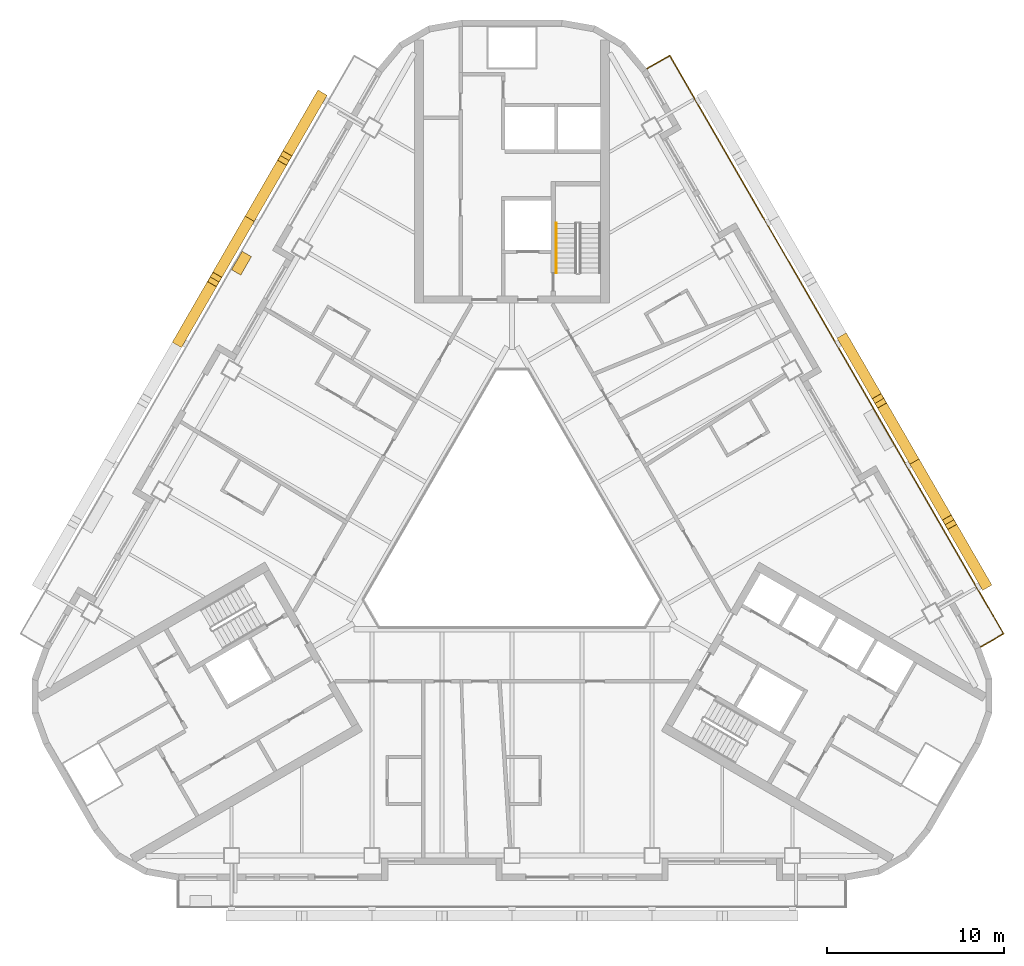
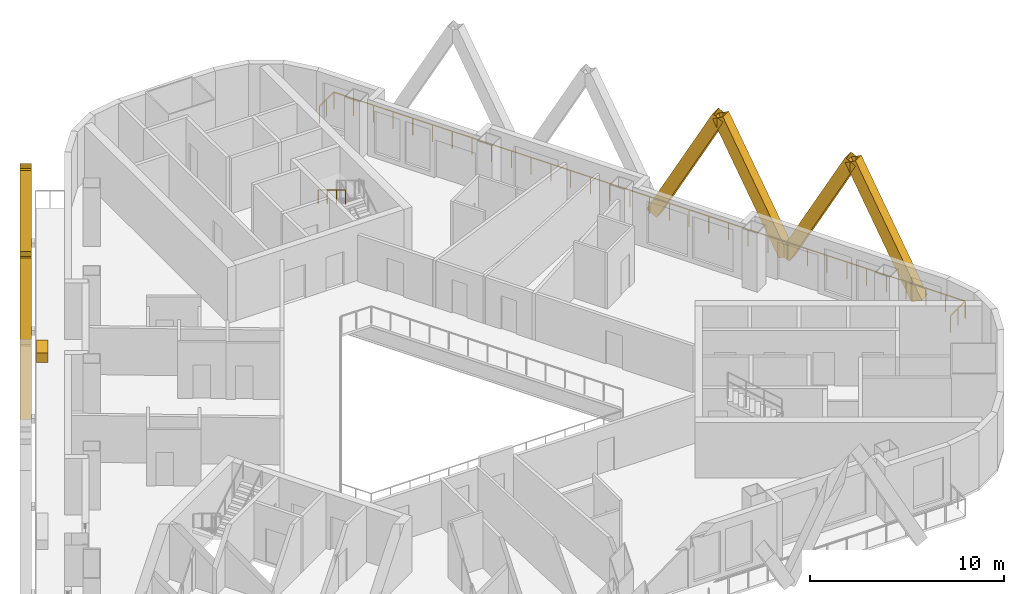
# One storey, part 12 of 13: 8 shading devices, 2 railings, 1 covering.
"""IFC4 building model written with IfcOpenShell, lengths in metres."""

from ifc_helpers import new_model, si_unit, direction, frame, origin, origin_2d, place, context, subcontext, project, spatial, rectangle, hollow_rectangle, circle, extrude, material, material_profile, profile_set, type_object, element, save


model = new_model("IFC4")

# Units and contexts
model_context = context("Model", 3, precision=1e-05, world=origin(), true_north=direction((0.0, 1.0)))
body_context = subcontext(model_context, "Body", "Model", "MODEL_VIEW")
ifc_project = project(units=[si_unit("LENGTHUNIT", "METRE"), si_unit("AREAUNIT", "SQUARE_METRE"), si_unit("VOLUMEUNIT", "CUBIC_METRE"), si_unit("PLANEANGLEUNIT", "RADIAN"), si_unit("MASSUNIT", "GRAM", prefix="KILO")], contexts=[model_context])

# Site, building, storey
site_placement = place(None, origin())
site = spatial("IfcSite", under=ifc_project, at=site_placement, CompositionType="ELEMENT")
building_placement = place(site_placement, origin())
building = spatial("IfcBuilding", under=site, at=building_placement, Name="Apuvela Tower Hotel", CompositionType="ELEMENT")
storey_placement = place(building_placement, frame((0.0, 0.0, 105.699951171875)))
storey = spatial("IfcBuildingStorey", under=building, at=storey_placement, Name="L24", CompositionType="ELEMENT", Elevation=105.699951171875)

# Railing
ifc_material_1 = material(Name="Stainless steel 316 handrail", Category="steel")
railing_type_1 = type_object("IfcRailingType", Name="COR-HANDRAIL-900", PredefinedType="HANDRAIL", material=ifc_material_1)
railing_1_placement = place(storey_placement, frame((2.5, 17.39990234375, 2.018310546875)))
element("IfcRailing", 1, at=railing_1_placement, inside=storey, type_object=railing_type_1, Name="L24 ST1 stair handrail 2", PredefinedType="HANDRAIL", context=body_context, shape_type="SweptSolid", body=[
    extrude(circle(Radius=0.02392578125, at=origin_2d()), frame((0.0, 0.0, 0.8759765625), z_axis=(0.0, -0.857255387014, 0.514891446264), x_axis=(1.0, 0.0, 0.0)), (0.0, 0.0, 1.0), 3.26611328125),
    extrude(rectangle(XDim=0.0419921875, YDim=0.0419921875, at=origin_2d()), origin(), (0.0, 0.0, 1.0), 0.851806640625),
    extrude(rectangle(XDim=0.0419921875, YDim=0.0419921875, at=origin_2d()), frame((0.0, -0.933349609375, 0.560546875)), (0.0, 0.0, 1.0), 0.851806640625),
    extrude(rectangle(XDim=0.0419921875, YDim=0.0419921875, at=origin_2d()), frame((0.0, -1.866455078125, 1.12109375)), (0.0, 0.0, 1.0), 0.851806640625),
    extrude(rectangle(XDim=0.0419921875, YDim=0.0419921875, at=origin_2d()), frame((0.0, -2.7998046875, 1.681640625)), (0.0, 0.0, 1.0), 0.851806640625),
])

# Shading devices
ifc_material_2 = material(Name="Aluminium 6063-T6, black anodised", Category="aluminium")
ifc_material_profile = material_profile(ifc_material_2, hollow_rectangle(XDim=0.60009765625, YDim=0.699951171875, WallThickness=0.011962890625, at=origin_2d()), Name="AL BOX 700x600x12")
ifc_profile_set = profile_set([ifc_material_profile], Name="Aluminium 6063-T6, black anodised")
shading_device_type = type_object("IfcShadingDeviceType", Name="ENV-FIN-700x600", PredefinedType="USERDEFINED", material=ifc_profile_set)
for number, where, z_axis, x_axis, name in (
    (2, (26.632080078125, -2.8681640625, -0.099853515625), (-0.235463880167, 0.407797827568, 0.882189148067), (-0.866005453737, -0.500034552904, 0.0), "Lattice fin NE209"),
    (3, (22.68212890625, 3.973388671875, -0.099853515625), (0.235433593518, -0.407824887177, 0.882184722404), (0.866047669374, 0.499961432884, 0.0), "Lattice fin NE210"),
    (4, (22.68212890625, 3.973388671875, -0.099853515625), (-0.235461085354, 0.407822092458, 0.882178677019), (-0.866020906874, -0.500007788796, 0.0), "Lattice fin NE211"),
):
    element("IfcShadingDevice", number, at=place(storey_placement, frame(where, z_axis=z_axis, x_axis=x_axis)), inside=storey, type_object=shading_device_type, Name=name, ObjectType="FIN", PredefinedType="USERDEFINED", context=body_context, shape_type="SweptSolid", body=[
        extrude(hollow_rectangle(XDim=0.60009765625, YDim=0.699951171875, WallThickness=0.011962890625, at=origin_2d()), origin(), (0.0, 0.0, 1.0), 8.38818359375),
    ])
shading_device_placement = place(storey_placement, frame((18.732177734375, 10.81494140625, -0.099853515625), z_axis=(0.235436388043, -0.407800622186, 0.882195193667), x_axis=(0.866032218625, 0.499988196164, 0.0)))
element("IfcShadingDevice", 5, at=shading_device_placement, inside=storey, type_object=shading_device_type, Name="Lattice fin NE212", ObjectType="FIN", PredefinedType="USERDEFINED", context=body_context, shape_type="SweptSolid", body=[
    extrude(hollow_rectangle(XDim=0.60009765625, YDim=0.699951171875, WallThickness=0.011962890625, at=origin_2d()), origin(), (0.0, 0.0, 1.0), 8.387939453125),
])
for number, where, z_axis, x_axis, name in (
    (6, (-10.83203125, 24.498291015625, -0.099853515625), (-0.235461085354, -0.407822092458, 0.882178677019), (0.866020906874, -0.500007788796, 0.0), "Lattice fin NW257"),
    (7, (-14.781982421875, 17.656494140625, -0.099853515625), (0.235433593518, 0.407824887177, 0.882184722404), (-0.866047669374, 0.499961432884, 0.0), "Lattice fin NW258"),
    (8, (-14.781982421875, 17.656494140625, -0.099853515625), (-0.235463880167, -0.407797827568, 0.882189148067), (0.866005453737, -0.500034552904, 0.0), "Lattice fin NW259"),
    (9, (-18.732177734375, 10.81494140625, -0.099853515625), (0.235461085354, 0.407822092458, 0.882178677019), (-0.866020906874, 0.500007788796, 0.0), "Lattice fin NW260"),
):
    element("IfcShadingDevice", number, at=place(storey_placement, frame(where, z_axis=z_axis, x_axis=x_axis)), inside=storey, type_object=shading_device_type, Name=name, ObjectType="FIN", PredefinedType="USERDEFINED", context=body_context, shape_type="SweptSolid", body=[
        extrude(hollow_rectangle(XDim=0.60009765625, YDim=0.699951171875, WallThickness=0.011962890625, at=origin_2d()), origin(), (0.0, 0.0, 1.0), 8.38818359375),
    ])

# Railing
ifc_material_3 = material(Name="Stainless steel 316 rail with laminated glass infill", Category="steel")
railing_type_2 = type_object("IfcRailingType", Name="ENV-GUARD-1100", PredefinedType="GUARDRAIL", material=ifc_material_3)
railing_2_placement = place(storey_placement, frame((26.407958984375, -6.47998046875, 0.0)))
element("IfcRailing", 10, at=railing_2_placement, inside=storey, type_object=railing_type_2, Name="Balcony guard NE L24", PredefinedType="GUARDRAIL", context=body_context, shape_type="SweptSolid", body=[
    extrude(rectangle(XDim=0.050048828125, YDim=0.050048828125, at=origin_2d()), frame((0.0, 0.0, 1.0751953125), z_axis=(0.866031096941, 0.499990139034, 0.0), x_axis=(-0.499990139034, 0.866031096941, 0.0)), (0.0, 0.0, 1.0), 1.5),
    extrude(rectangle(XDim=0.050048828125, YDim=0.050048828125, at=origin_2d()), frame((1.299072265625, 0.75, 1.0751953125), z_axis=(-0.500000437506, 0.86602515119, 0.0), x_axis=(-0.86602515119, -0.500000437506, 0.0)), (0.0, 0.0, 1.0), 37.6318359375),
    extrude(rectangle(XDim=0.050048828125, YDim=0.050048828125, at=origin_2d()), frame((-17.516845703125, 33.340087890625, 1.0751953125), z_axis=(-0.86599040064, -0.500060622324, 0.0), x_axis=(0.500060622324, -0.86599040064, 0.0)), (0.0, 0.0, 1.0), 1.499755859375),
    extrude(rectangle(XDim=0.0400390625, YDim=0.0400390625, at=origin_2d()), origin(), (0.0, 0.0, 1.0), 1.050048828125),
    extrude(rectangle(XDim=0.0400390625, YDim=0.0400390625, at=origin_2d()), frame((0.6494140625, 0.375, 0.0)), (0.0, 0.0, 1.0), 1.050048828125),
    extrude(rectangle(XDim=0.0400390625, YDim=0.0400390625, at=origin_2d()), frame((1.299072265625, 0.75, 0.0)), (0.0, 0.0, 1.0), 1.050048828125),
    extrude(rectangle(XDim=0.0400390625, YDim=0.0400390625, at=origin_2d()), frame((0.711181640625, 1.7685546875, 0.0)), (0.0, 0.0, 1.0), 1.050048828125),
    extrude(rectangle(XDim=0.0400390625, YDim=0.0400390625, at=origin_2d()), frame((0.123046875, 2.786865234375, 0.0)), (0.0, 0.0, 1.0), 1.050048828125),
    extrude(rectangle(XDim=0.0400390625, YDim=0.0400390625, at=origin_2d()), frame((-0.46484375, 3.805419921875, 0.0)), (0.0, 0.0, 1.0), 1.050048828125),
    extrude(rectangle(XDim=0.0400390625, YDim=0.0400390625, at=origin_2d()), frame((-1.052978515625, 4.82373046875, 0.0)), (0.0, 0.0, 1.0), 1.050048828125),
    extrude(rectangle(XDim=0.0400390625, YDim=0.0400390625, at=origin_2d()), frame((-1.640869140625, 5.84228515625, 0.0)), (0.0, 0.0, 1.0), 1.050048828125),
    extrude(rectangle(XDim=0.0400390625, YDim=0.0400390625, at=origin_2d()), frame((-2.22900390625, 6.860595703125, 0.0)), (0.0, 0.0, 1.0), 1.050048828125),
    extrude(rectangle(XDim=0.0400390625, YDim=0.0400390625, at=origin_2d()), frame((-2.81689453125, 7.879150390625, 0.0)), (0.0, 0.0, 1.0), 1.050048828125),
    extrude(rectangle(XDim=0.0400390625, YDim=0.0400390625, at=origin_2d()), frame((-3.40478515625, 8.8974609375, 0.0)), (0.0, 0.0, 1.0), 1.050048828125),
    extrude(rectangle(XDim=0.0400390625, YDim=0.0400390625, at=origin_2d()), frame((-3.992919921875, 9.916015625, 0.0)), (0.0, 0.0, 1.0), 1.050048828125),
    extrude(rectangle(XDim=0.0400390625, YDim=0.0400390625, at=origin_2d()), frame((-4.580810546875, 10.934326171875, 0.0)), (0.0, 0.0, 1.0), 1.050048828125),
    extrude(rectangle(XDim=0.0400390625, YDim=0.0400390625, at=origin_2d()), frame((-5.1689453125, 11.952880859375, 0.0)), (0.0, 0.0, 1.0), 1.050048828125),
    extrude(rectangle(XDim=0.0400390625, YDim=0.0400390625, at=origin_2d()), frame((-5.7568359375, 12.97119140625, 0.0)), (0.0, 0.0, 1.0), 1.050048828125),
    extrude(rectangle(XDim=0.0400390625, YDim=0.0400390625, at=origin_2d()), frame((-6.344970703125, 13.98974609375, 0.0)), (0.0, 0.0, 1.0), 1.050048828125),
    extrude(rectangle(XDim=0.0400390625, YDim=0.0400390625, at=origin_2d()), frame((-6.932861328125, 15.008056640625, 0.0)), (0.0, 0.0, 1.0), 1.050048828125),
    extrude(rectangle(XDim=0.0400390625, YDim=0.0400390625, at=origin_2d()), frame((-7.52099609375, 16.026611328125, 0.0)), (0.0, 0.0, 1.0), 1.050048828125),
    extrude(rectangle(XDim=0.0400390625, YDim=0.0400390625, at=origin_2d()), frame((-8.10888671875, 17.044921875, 0.0)), (0.0, 0.0, 1.0), 1.050048828125),
    extrude(rectangle(XDim=0.0400390625, YDim=0.0400390625, at=origin_2d()), frame((-8.69677734375, 18.0634765625, 0.0)), (0.0, 0.0, 1.0), 1.050048828125),
    extrude(rectangle(XDim=0.0400390625, YDim=0.0400390625, at=origin_2d()), frame((-9.284912109375, 19.08203125, 0.0)), (0.0, 0.0, 1.0), 1.050048828125),
    extrude(rectangle(XDim=0.0400390625, YDim=0.0400390625, at=origin_2d()), frame((-9.872802734375, 20.100341796875, 0.0)), (0.0, 0.0, 1.0), 1.050048828125),
    extrude(rectangle(XDim=0.0400390625, YDim=0.0400390625, at=origin_2d()), frame((-10.4609375, 21.118896484375, 0.0)), (0.0, 0.0, 1.0), 1.050048828125),
    extrude(rectangle(XDim=0.0400390625, YDim=0.0400390625, at=origin_2d()), frame((-11.048828125, 22.13720703125, 0.0)), (0.0, 0.0, 1.0), 1.050048828125),
    extrude(rectangle(XDim=0.0400390625, YDim=0.0400390625, at=origin_2d()), frame((-11.636962890625, 23.15576171875, 0.0)), (0.0, 0.0, 1.0), 1.050048828125),
    extrude(rectangle(XDim=0.0400390625, YDim=0.0400390625, at=origin_2d()), frame((-12.224853515625, 24.174072265625, 0.0)), (0.0, 0.0, 1.0), 1.050048828125),
    extrude(rectangle(XDim=0.0400390625, YDim=0.0400390625, at=origin_2d()), frame((-12.81298828125, 25.192626953125, 0.0)), (0.0, 0.0, 1.0), 1.050048828125),
    extrude(rectangle(XDim=0.0400390625, YDim=0.0400390625, at=origin_2d()), frame((-13.40087890625, 26.2109375, 0.0)), (0.0, 0.0, 1.0), 1.050048828125),
    extrude(rectangle(XDim=0.0400390625, YDim=0.0400390625, at=origin_2d()), frame((-13.98876953125, 27.2294921875, 0.0)), (0.0, 0.0, 1.0), 1.050048828125),
    extrude(rectangle(XDim=0.0400390625, YDim=0.0400390625, at=origin_2d()), frame((-14.576904296875, 28.247802734375, 0.0)), (0.0, 0.0, 1.0), 1.050048828125),
    extrude(rectangle(XDim=0.0400390625, YDim=0.0400390625, at=origin_2d()), frame((-15.164794921875, 29.266357421875, 0.0)), (0.0, 0.0, 1.0), 1.050048828125),
    extrude(rectangle(XDim=0.0400390625, YDim=0.0400390625, at=origin_2d()), frame((-15.7529296875, 30.28466796875, 0.0)), (0.0, 0.0, 1.0), 1.050048828125),
    extrude(rectangle(XDim=0.0400390625, YDim=0.0400390625, at=origin_2d()), frame((-16.3408203125, 31.30322265625, 0.0)), (0.0, 0.0, 1.0), 1.050048828125),
    extrude(rectangle(XDim=0.0400390625, YDim=0.0400390625, at=origin_2d()), frame((-16.928955078125, 32.321533203125, 0.0)), (0.0, 0.0, 1.0), 1.050048828125),
    extrude(rectangle(XDim=0.0400390625, YDim=0.0400390625, at=origin_2d()), frame((-17.516845703125, 33.340087890625, 0.0)), (0.0, 0.0, 1.0), 1.050048828125),
    extrude(rectangle(XDim=0.0400390625, YDim=0.0400390625, at=origin_2d()), frame((-18.166259765625, 32.965087890625, 0.0)), (0.0, 0.0, 1.0), 1.050048828125),
    extrude(rectangle(XDim=0.0400390625, YDim=0.0400390625, at=origin_2d()), frame((-18.815673828125, 32.590087890625, 0.0)), (0.0, 0.0, 1.0), 1.050048828125),
])

# Covering
ifc_material_4 = material(Name="Planting substrate and soil, planted")
covering_type = type_object("IfcCoveringType", Name="ENV-PLANTER-1200x600", PredefinedType="USERDEFINED", material=ifc_material_4)
covering_placement = place(storey_placement, frame((-15.24609375, 15.1533203125, 0.0), z_axis=(0.0, 0.0, 1.0), x_axis=(-0.5, -0.866025403784, 0.0)))
element("IfcCovering", 11, at=covering_placement, inside=storey, type_object=covering_type, Name="Planter NW3", ObjectType="PLANTER", PredefinedType="USERDEFINED", context=body_context, shape_type="SweptSolid", body=[
    extrude(rectangle(XDim=1.199951171875, YDim=0.60009765625, at=origin_2d()), origin(), (0.0, 0.0, 1.0), 0.60009765625),
])

save(model, "model.ifc")
